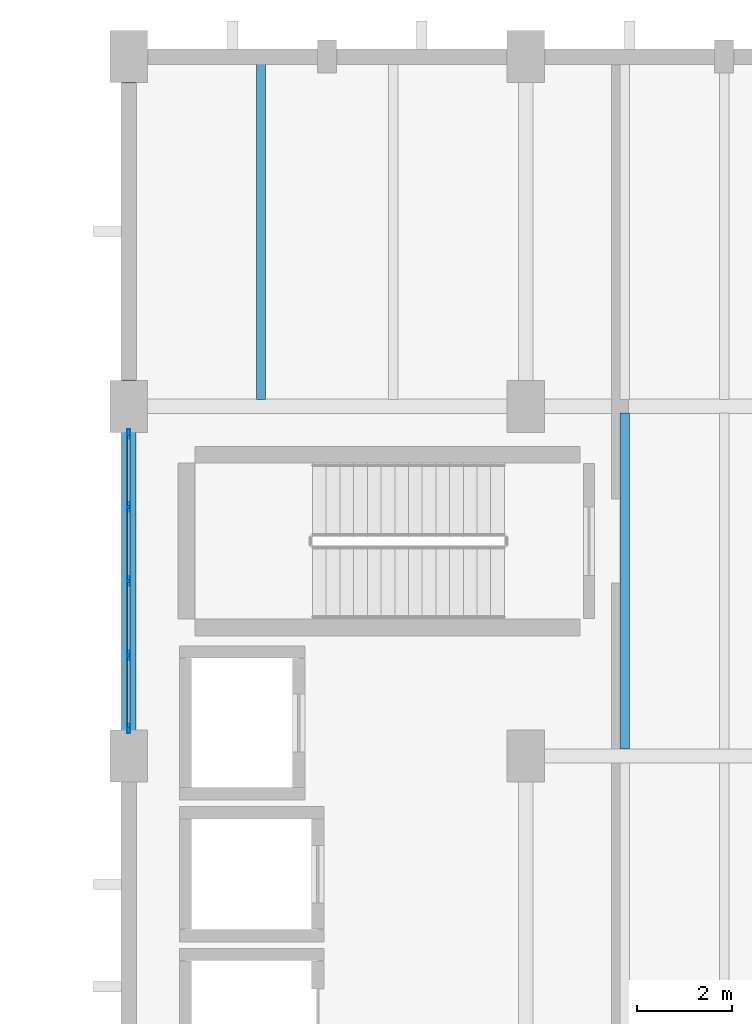
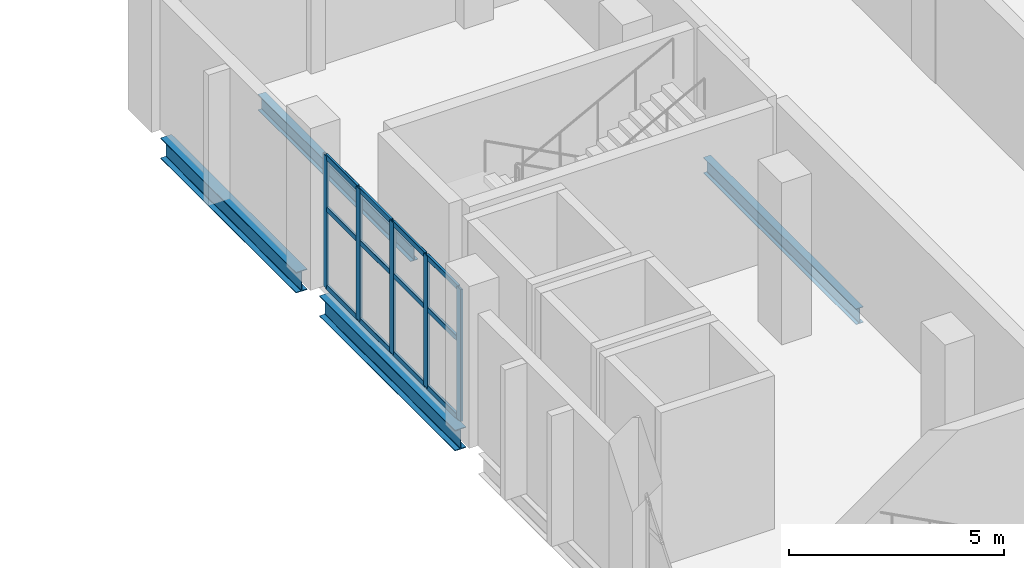
# One storey, part 76 of 172: 17 members, 4 beams, 1 element without a shape of its own.
"""IFC4 building model written with IfcOpenShell, lengths in metres."""

from ifc_helpers import new_model, si_unit, direction, frame, origin, origin_2d, place, context, subcontext, project, spatial, hollow_rectangle, i_section, extrude, material, material_profile, profile_set, type_object, element, aggregate, save


model = new_model("IFC4")

# Units and contexts
model_context = context("Model", 3, precision=1e-05, world=origin(), true_north=direction((0.0, 1.0)))
body_context = subcontext(model_context, "Body", "Model", "MODEL_VIEW")
ifc_project = project(units=[si_unit("LENGTHUNIT", "METRE"), si_unit("AREAUNIT", "SQUARE_METRE"), si_unit("VOLUMEUNIT", "CUBIC_METRE"), si_unit("PLANEANGLEUNIT", "RADIAN"), si_unit("MASSUNIT", "GRAM", prefix="KILO")], contexts=[model_context])

# Site, building, storey
site_placement = place(None, origin())
site = spatial("IfcSite", under=ifc_project, at=site_placement, CompositionType="ELEMENT")
building_placement = place(site_placement, origin())
building = spatial("IfcBuilding", under=site, at=building_placement, Name="Shengluoqiao Park Theatre", CompositionType="ELEMENT")
storey_placement = place(building_placement, frame((0.0, 0.0, 5.39990234375)))
storey = spatial("IfcBuildingStorey", under=building, at=storey_placement, Name="L01", CompositionType="ELEMENT", Elevation=5.39990234375)

# Curtain wall, members
ifc_material_1 = material(Name="Aluminium 6063-T6", Category="aluminium")
curtain_wall_type = type_object("IfcCurtainWallType", Name="ENV-CW-CLERE", PredefinedType="NOTDEFINED", material=ifc_material_1)
curtain_wall_placement = place(storey_placement, origin())
curtain_wall = element("IfcCurtainWall", 1, at=curtain_wall_placement, inside=storey, type_object=curtain_wall_type, Name="L01 Curtain Wall CW-L01-0004", PredefinedType="NOTDEFINED")
ifc_material_profile_1 = material_profile(ifc_material_1, hollow_rectangle(XDim=0.06494140625, YDim=0.199951171875, WallThickness=0.0048828125, InnerFilletRadius=0.0048828125, OuterFilletRadius=0.010009765625, at=origin_2d()), Name="ALU MULLION 200x65x5")
ifc_profile_set_1 = profile_set([ifc_material_profile_1], Name="Aluminium 6063-T6")
member_type_1 = type_object("IfcMemberType", Name="ENV-MUL-200", PredefinedType="MULLION", material=ifc_profile_set_1)
member_1_placement = place(storey_placement, frame((44.39990234375, 99.78662109375, 0.0), z_axis=(0.0, 0.0, 1.0), x_axis=(-1.0, 0.0, 0.0)))
member_1 = element("IfcMember", 2, at=member_1_placement, type_object=member_type_1, Name="CW-06 mullion 1", PredefinedType="MULLION", context=body_context, shape_type="SweptSolid", body=[
    extrude(hollow_rectangle(XDim=0.06494140625, YDim=0.199951171875, WallThickness=0.0048828125, InnerFilletRadius=0.0048828125, OuterFilletRadius=0.010009765625, at=origin_2d()), origin(), (0.0, 0.0, 1.0), 3.75),
])
member_2_placement = place(storey_placement, frame((44.39990234375, 101.326904296875, 0.0), z_axis=(0.0, 0.0, 1.0), x_axis=(-1.0, 0.0, 0.0)))
member_2 = element("IfcMember", 3, at=member_2_placement, type_object=member_type_1, Name="CW-06 mullion 2", PredefinedType="MULLION", context=body_context, shape_type="SweptSolid", body=[
    extrude(hollow_rectangle(XDim=0.06494140625, YDim=0.199951171875, WallThickness=0.0048828125, InnerFilletRadius=0.0048828125, OuterFilletRadius=0.010009765625, at=origin_2d()), origin(), (0.0, 0.0, 1.0), 3.75),
])
member_3_placement = place(storey_placement, frame((44.39990234375, 102.89990234375, 0.0), z_axis=(0.0, 0.0, 1.0), x_axis=(-1.0, 0.0, 0.0)))
member_3 = element("IfcMember", 4, at=member_3_placement, type_object=member_type_1, Name="CW-06 mullion 3", PredefinedType="MULLION", context=body_context, shape_type="SweptSolid", body=[
    extrude(hollow_rectangle(XDim=0.06494140625, YDim=0.199951171875, WallThickness=0.0048828125, InnerFilletRadius=0.0048828125, OuterFilletRadius=0.010009765625, at=origin_2d()), origin(), (0.0, 0.0, 1.0), 3.75),
])
member_4_placement = place(storey_placement, frame((44.39990234375, 104.472900390625, 0.0), z_axis=(0.0, 0.0, 1.0), x_axis=(-1.0, 0.0, 0.0)))
member_4 = element("IfcMember", 5, at=member_4_placement, type_object=member_type_1, Name="CW-06 mullion 4", PredefinedType="MULLION", context=body_context, shape_type="SweptSolid", body=[
    extrude(hollow_rectangle(XDim=0.06494140625, YDim=0.199951171875, WallThickness=0.0048828125, InnerFilletRadius=0.0048828125, OuterFilletRadius=0.010009765625, at=origin_2d()), origin(), (0.0, 0.0, 1.0), 3.75),
])
member_5_placement = place(storey_placement, frame((44.39990234375, 106.013427734375, 0.0), z_axis=(0.0, 0.0, 1.0), x_axis=(-1.0, 0.0, 0.0)))
member_5 = element("IfcMember", 6, at=member_5_placement, type_object=member_type_1, Name="CW-06 mullion 5", PredefinedType="MULLION", context=body_context, shape_type="SweptSolid", body=[
    extrude(hollow_rectangle(XDim=0.06494140625, YDim=0.199951171875, WallThickness=0.0048828125, InnerFilletRadius=0.0048828125, OuterFilletRadius=0.010009765625, at=origin_2d()), origin(), (0.0, 0.0, 1.0), 3.75),
])
ifc_material_profile_2 = material_profile(ifc_material_1, hollow_rectangle(XDim=0.06494140625, YDim=0.14990234375, WallThickness=0.00390625, InnerFilletRadius=0.00390625, OuterFilletRadius=0.008056640625, at=origin_2d()), Name="ALU TRANSOM 150x65x4")
ifc_profile_set_2 = profile_set([ifc_material_profile_2], Name="Aluminium 6063-T6")
member_type_2 = type_object("IfcMemberType", Name="ENV-TRN-150", PredefinedType="USERDEFINED", material=ifc_profile_set_2)
member_6_placement = place(storey_placement, frame((44.39990234375, 99.819091796875, 0.03271484375), z_axis=(0.0, 1.0, 0.0), x_axis=(-1.0, 0.0, 0.0)))
member_6 = element("IfcMember", 7, at=member_6_placement, type_object=member_type_2, Name="CW-06 transom 1.1", ObjectType="TRANSOM", PredefinedType="USERDEFINED", context=body_context, shape_type="SweptSolid", body=[
    extrude(hollow_rectangle(XDim=0.06494140625, YDim=0.14990234375, WallThickness=0.00390625, InnerFilletRadius=0.00390625, OuterFilletRadius=0.008056640625, at=origin_2d()), origin(), (0.0, 0.0, 1.0), 1.475341796875),
])
member_7_placement = place(storey_placement, frame((44.39990234375, 99.819091796875, 2.25), z_axis=(0.0, 1.0, 0.0), x_axis=(-1.0, 0.0, 0.0)))
member_7 = element("IfcMember", 8, at=member_7_placement, type_object=member_type_2, Name="CW-06 transom 1.2", ObjectType="TRANSOM", PredefinedType="USERDEFINED", context=body_context, shape_type="SweptSolid", body=[
    extrude(hollow_rectangle(XDim=0.06494140625, YDim=0.14990234375, WallThickness=0.00390625, InnerFilletRadius=0.00390625, OuterFilletRadius=0.008056640625, at=origin_2d()), origin(), (0.0, 0.0, 1.0), 1.475341796875),
])
member_8_placement = place(storey_placement, frame((44.39990234375, 99.819091796875, 3.717529296875), z_axis=(0.0, 1.0, 0.0), x_axis=(-1.0, 0.0, 0.0)))
member_8 = element("IfcMember", 9, at=member_8_placement, type_object=member_type_2, Name="CW-06 transom 1.3", ObjectType="TRANSOM", PredefinedType="USERDEFINED", context=body_context, shape_type="SweptSolid", body=[
    extrude(hollow_rectangle(XDim=0.06494140625, YDim=0.14990234375, WallThickness=0.00390625, InnerFilletRadius=0.00390625, OuterFilletRadius=0.008056640625, at=origin_2d()), origin(), (0.0, 0.0, 1.0), 1.475341796875),
])
member_9_placement = place(storey_placement, frame((44.39990234375, 101.359619140625, 0.03271484375), z_axis=(0.0, 1.0, 0.0), x_axis=(-1.0, 0.0, 0.0)))
member_9 = element("IfcMember", 10, at=member_9_placement, type_object=member_type_2, Name="CW-06 transom 2.1", ObjectType="TRANSOM", PredefinedType="USERDEFINED", context=body_context, shape_type="SweptSolid", body=[
    extrude(hollow_rectangle(XDim=0.06494140625, YDim=0.14990234375, WallThickness=0.00390625, InnerFilletRadius=0.00390625, OuterFilletRadius=0.008056640625, at=origin_2d()), origin(), (0.0, 0.0, 1.0), 1.5078125),
])
member_10_placement = place(storey_placement, frame((44.39990234375, 101.359619140625, 2.25), z_axis=(0.0, 1.0, 0.0), x_axis=(-1.0, 0.0, 0.0)))
member_10 = element("IfcMember", 11, at=member_10_placement, type_object=member_type_2, Name="CW-06 transom 2.2", ObjectType="TRANSOM", PredefinedType="USERDEFINED", context=body_context, shape_type="SweptSolid", body=[
    extrude(hollow_rectangle(XDim=0.06494140625, YDim=0.14990234375, WallThickness=0.00390625, InnerFilletRadius=0.00390625, OuterFilletRadius=0.008056640625, at=origin_2d()), origin(), (0.0, 0.0, 1.0), 1.5078125),
])
member_11_placement = place(storey_placement, frame((44.39990234375, 101.359619140625, 3.717529296875), z_axis=(0.0, 1.0, 0.0), x_axis=(-1.0, 0.0, 0.0)))
member_11 = element("IfcMember", 12, at=member_11_placement, type_object=member_type_2, Name="CW-06 transom 2.3", ObjectType="TRANSOM", PredefinedType="USERDEFINED", context=body_context, shape_type="SweptSolid", body=[
    extrude(hollow_rectangle(XDim=0.06494140625, YDim=0.14990234375, WallThickness=0.00390625, InnerFilletRadius=0.00390625, OuterFilletRadius=0.008056640625, at=origin_2d()), origin(), (0.0, 0.0, 1.0), 1.5078125),
])
member_12_placement = place(storey_placement, frame((44.39990234375, 102.9326171875, 0.03271484375), z_axis=(0.0, 1.0, 0.0), x_axis=(-1.0, 0.0, 0.0)))
member_12 = element("IfcMember", 13, at=member_12_placement, type_object=member_type_2, Name="CW-06 transom 3.1", ObjectType="TRANSOM", PredefinedType="USERDEFINED", context=body_context, shape_type="SweptSolid", body=[
    extrude(hollow_rectangle(XDim=0.06494140625, YDim=0.14990234375, WallThickness=0.00390625, InnerFilletRadius=0.00390625, OuterFilletRadius=0.008056640625, at=origin_2d()), origin(), (0.0, 0.0, 1.0), 1.5078125),
])
member_13_placement = place(storey_placement, frame((44.39990234375, 102.9326171875, 2.25), z_axis=(0.0, 1.0, 0.0), x_axis=(-1.0, 0.0, 0.0)))
member_13 = element("IfcMember", 14, at=member_13_placement, type_object=member_type_2, Name="CW-06 transom 3.2", ObjectType="TRANSOM", PredefinedType="USERDEFINED", context=body_context, shape_type="SweptSolid", body=[
    extrude(hollow_rectangle(XDim=0.06494140625, YDim=0.14990234375, WallThickness=0.00390625, InnerFilletRadius=0.00390625, OuterFilletRadius=0.008056640625, at=origin_2d()), origin(), (0.0, 0.0, 1.0), 1.5078125),
])
member_14_placement = place(storey_placement, frame((44.39990234375, 102.9326171875, 3.717529296875), z_axis=(0.0, 1.0, 0.0), x_axis=(-1.0, 0.0, 0.0)))
member_14 = element("IfcMember", 15, at=member_14_placement, type_object=member_type_2, Name="CW-06 transom 3.3", ObjectType="TRANSOM", PredefinedType="USERDEFINED", context=body_context, shape_type="SweptSolid", body=[
    extrude(hollow_rectangle(XDim=0.06494140625, YDim=0.14990234375, WallThickness=0.00390625, InnerFilletRadius=0.00390625, OuterFilletRadius=0.008056640625, at=origin_2d()), origin(), (0.0, 0.0, 1.0), 1.5078125),
])
member_15_placement = place(storey_placement, frame((44.39990234375, 104.505615234375, 0.03271484375), z_axis=(0.0, 1.0, 0.0), x_axis=(-1.0, 0.0, 0.0)))
member_15 = element("IfcMember", 16, at=member_15_placement, type_object=member_type_2, Name="CW-06 transom 4.1", ObjectType="TRANSOM", PredefinedType="USERDEFINED", context=body_context, shape_type="SweptSolid", body=[
    extrude(hollow_rectangle(XDim=0.06494140625, YDim=0.14990234375, WallThickness=0.00390625, InnerFilletRadius=0.00390625, OuterFilletRadius=0.008056640625, at=origin_2d()), origin(), (0.0, 0.0, 1.0), 1.475341796875),
])
member_16_placement = place(storey_placement, frame((44.39990234375, 104.505615234375, 2.25), z_axis=(0.0, 1.0, 0.0), x_axis=(-1.0, 0.0, 0.0)))
member_16 = element("IfcMember", 17, at=member_16_placement, type_object=member_type_2, Name="CW-06 transom 4.2", ObjectType="TRANSOM", PredefinedType="USERDEFINED", context=body_context, shape_type="SweptSolid", body=[
    extrude(hollow_rectangle(XDim=0.06494140625, YDim=0.14990234375, WallThickness=0.00390625, InnerFilletRadius=0.00390625, OuterFilletRadius=0.008056640625, at=origin_2d()), origin(), (0.0, 0.0, 1.0), 1.475341796875),
])
member_17_placement = place(storey_placement, frame((44.39990234375, 104.505615234375, 3.717529296875), z_axis=(0.0, 1.0, 0.0), x_axis=(-1.0, 0.0, 0.0)))
member_17 = element("IfcMember", 18, at=member_17_placement, type_object=member_type_2, Name="CW-06 transom 4.3", ObjectType="TRANSOM", PredefinedType="USERDEFINED", context=body_context, shape_type="SweptSolid", body=[
    extrude(hollow_rectangle(XDim=0.06494140625, YDim=0.14990234375, WallThickness=0.00390625, InnerFilletRadius=0.00390625, OuterFilletRadius=0.008056640625, at=origin_2d()), origin(), (0.0, 0.0, 1.0), 1.475341796875),
])
aggregate(curtain_wall, [member_1, member_2, member_3, member_4, member_5, member_6, member_7, member_8, member_9, member_10, member_11, member_12, member_13, member_14, member_15, member_16, member_17])

# Beams
ifc_material_2 = material(Name="Steel Q355", Category="steel")
ifc_material_profile_3 = material_profile(ifc_material_2, i_section(OverallWidth=0.300048828125, OverallDepth=0.587890625, WebThickness=0.011962890625, FlangeThickness=0.02001953125, FilletRadius=0.02392578125, at=origin_2d()), Name="HM 588x300x12x20")
ifc_profile_set_3 = profile_set([ifc_material_profile_3], Name="Steel Q355")
beam_type_1 = type_object("IfcBeamType", Name="STR-BM-G-HM588", PredefinedType="BEAM", material=ifc_profile_set_3)
for number, where, z_axis, x_axis, name in (
    (19, (44.39990234375, 99.743896484375, -0.533935546875), (0.0, 1.0, 0.0), (-1.0, 0.0, 0.0), "L01 Transverse Girder 00285"),
    (20, (44.39990234375, 107.14404296875, -0.533935546875), (0.0, 1.0, 0.0), (-1.0, 0.0, 0.0), "L01 Transverse Girder 00286"),
):
    element("IfcBeam", number, at=place(storey_placement, frame(where, z_axis=z_axis, x_axis=x_axis)), inside=storey, type_object=beam_type_1, Name=name, PredefinedType="BEAM", context=body_context, shape_type="SweptSolid", body=[
        extrude(i_section(OverallWidth=0.300048828125, OverallDepth=0.587890625, WebThickness=0.011962890625, FlangeThickness=0.02001953125, FilletRadius=0.02392578125, at=origin_2d()), origin(), (0.0, 0.0, 1.0), 6.31201171875),
    ])
ifc_material_profile_4 = material_profile(ifc_material_2, i_section(OverallWidth=0.199951171875, OverallDepth=0.449951171875, WebThickness=0.009033203125, FlangeThickness=0.013916015625, FilletRadius=0.01611328125, at=origin_2d()), Name="HN 450x200x9x14")
ifc_profile_set_4 = profile_set([ifc_material_profile_4], Name="Steel Q355")
beam_type_2 = type_object("IfcBeamType", Name="STR-BM-J-HN450", PredefinedType="JOIST", material=ifc_profile_set_4)
beam_1_placement = place(storey_placement, frame((47.199951171875, 106.7451171875, -0.46484375), z_axis=(0.0, 1.0, 0.0), x_axis=(-1.0, 0.0, 0.0)))
element("IfcBeam", 21, at=beam_1_placement, inside=storey, type_object=beam_type_2, Name="L01 Composite Joist 00297", PredefinedType="JOIST", context=body_context, shape_type="SweptSolid", body=[
    extrude(i_section(OverallWidth=0.199951171875, OverallDepth=0.449951171875, WebThickness=0.009033203125, FlangeThickness=0.013916015625, FilletRadius=0.01611328125, at=origin_2d()), origin(), (0.0, 0.0, 1.0), 7.10986328125),
])
beam_2_placement = place(storey_placement, frame((54.89990234375, 99.344970703125, -0.46484375), z_axis=(0.0, 1.0, 0.0), x_axis=(-1.0, 0.0, 0.0)))
element("IfcBeam", 22, at=beam_2_placement, inside=storey, type_object=beam_type_2, Name="L01 Composite Joist 00308", PredefinedType="JOIST", context=body_context, shape_type="SweptSolid", body=[
    extrude(i_section(OverallWidth=0.199951171875, OverallDepth=0.449951171875, WebThickness=0.009033203125, FlangeThickness=0.013916015625, FilletRadius=0.01611328125, at=origin_2d()), origin(), (0.0, 0.0, 1.0), 7.110107421875),
])

save(model, "model.ifc")
